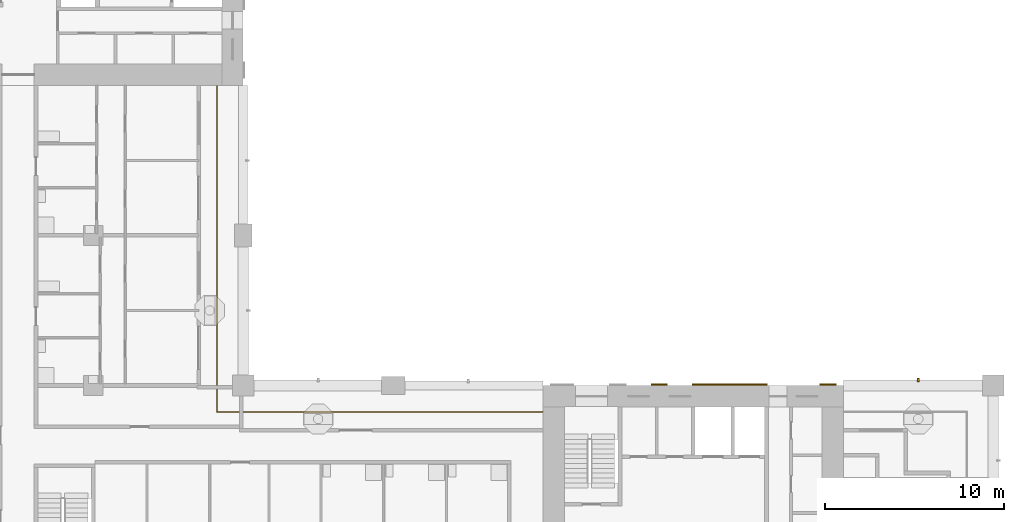
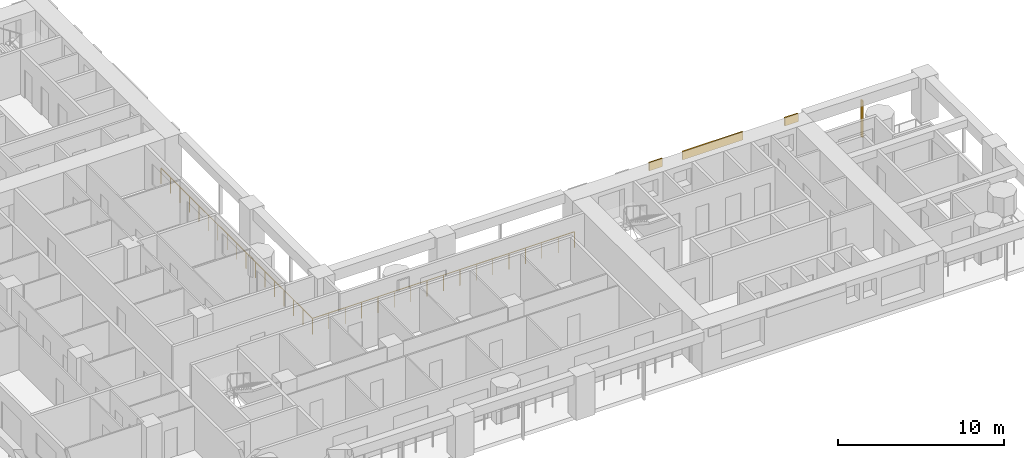
# One storey, part 14 of 19: 4 shading devices, 1 railing.
"""IFC4 building model written with IfcOpenShell, lengths in metres."""

from ifc_helpers import new_model, si_unit, direction, frame, origin, origin_2d, place, context, subcontext, project, spatial, rectangle, circle, extrude, material, layer, layer_set, material_profile, profile_set, type_object, element, save


model = new_model("IFC4")

# Units and contexts
model_context = context("Model", 3, precision=1e-05, world=origin(), true_north=direction((0.0, 1.0)))
body_context = subcontext(model_context, "Body", "Model", "MODEL_VIEW")
ifc_project = project(units=[si_unit("LENGTHUNIT", "METRE"), si_unit("AREAUNIT", "SQUARE_METRE"), si_unit("VOLUMEUNIT", "CUBIC_METRE"), si_unit("PLANEANGLEUNIT", "RADIAN"), si_unit("MASSUNIT", "GRAM", prefix="KILO")], contexts=[model_context])

# Site, building, storey
site_placement = place(None, origin())
site = spatial("IfcSite", under=ifc_project, at=site_placement, CompositionType="ELEMENT")
building_placement = place(site_placement, origin())
building = spatial("IfcBuilding", under=site, at=building_placement, Name="Vermilion Gate Residences", CompositionType="ELEMENT")
storey_placement = place(building_placement, frame((0.0, 0.0, 119.699951171875)))
storey = spatial("IfcBuildingStorey", under=building, at=storey_placement, Name="L30", CompositionType="ELEMENT", Elevation=119.699951171875)

# Railing
ifc_material_1 = material(Name="Stainless steel and toughened glass", Category="steel")
railing_type = type_object("IfcRailingType", Name="LOGGIA GUARD STEEL AND GLASS 1200", PredefinedType="GUARDRAIL", material=ifc_material_1)
railing_placement = place(storey_placement, frame((41.97802734375, 23.72509765625, 0.0)))
element("IfcRailing", 1, at=railing_placement, inside=storey, type_object=railing_type, Name="Loggia guard", PredefinedType="GUARDRAIL", context=body_context, shape_type="SweptSolid", body=[
    extrude(circle(Radius=0.030029296875, at=origin_2d()), frame((0.0, 0.0, 1.169921875), z_axis=(-1.0, 0.0, 0.0), x_axis=(0.0, -1.0, 0.0)), (0.0, 0.0, 1.0), 18.2529296875),
    extrude(circle(Radius=0.030029296875, at=origin_2d()), frame((-18.2529296875, 0.0, 1.169921875), z_axis=(0.0, 1.0, 0.0), x_axis=(-1.0, 0.0, 0.0)), (0.0, 0.0, 1.0), 18.2529296875),
    extrude(circle(Radius=0.02490234375, at=origin_2d()), origin(), (0.0, 0.0, 1.0), 1.139892578125),
    extrude(circle(Radius=0.02490234375, at=origin_2d()), frame((-1.140869140625, 0.0, 0.0)), (0.0, 0.0, 1.0), 1.139892578125),
    extrude(circle(Radius=0.02490234375, at=origin_2d()), frame((-2.28173828125, 0.0, 0.0)), (0.0, 0.0, 1.0), 1.139892578125),
    extrude(circle(Radius=0.02490234375, at=origin_2d()), frame((-3.42236328125, 0.0, 0.0)), (0.0, 0.0, 1.0), 1.139892578125),
    extrude(circle(Radius=0.02490234375, at=origin_2d()), frame((-4.563232421875, 0.0, 0.0)), (0.0, 0.0, 1.0), 1.139892578125),
    extrude(circle(Radius=0.02490234375, at=origin_2d()), frame((-5.7041015625, 0.0, 0.0)), (0.0, 0.0, 1.0), 1.139892578125),
    extrude(circle(Radius=0.02490234375, at=origin_2d()), frame((-6.8447265625, 0.0, 0.0)), (0.0, 0.0, 1.0), 1.139892578125),
    extrude(circle(Radius=0.02490234375, at=origin_2d()), frame((-7.985595703125, 0.0, 0.0)), (0.0, 0.0, 1.0), 1.139892578125),
    extrude(circle(Radius=0.02490234375, at=origin_2d()), frame((-9.12646484375, 0.0, 0.0)), (0.0, 0.0, 1.0), 1.139892578125),
    extrude(circle(Radius=0.02490234375, at=origin_2d()), frame((-10.267333984375, 0.0, 0.0)), (0.0, 0.0, 1.0), 1.139892578125),
    extrude(circle(Radius=0.02490234375, at=origin_2d()), frame((-11.408203125, 0.0, 0.0)), (0.0, 0.0, 1.0), 1.139892578125),
    extrude(circle(Radius=0.02490234375, at=origin_2d()), frame((-12.548828125, 0.0, 0.0)), (0.0, 0.0, 1.0), 1.139892578125),
    extrude(circle(Radius=0.02490234375, at=origin_2d()), frame((-13.689697265625, 0.0, 0.0)), (0.0, 0.0, 1.0), 1.139892578125),
    extrude(circle(Radius=0.02490234375, at=origin_2d()), frame((-14.83056640625, 0.0, 0.0)), (0.0, 0.0, 1.0), 1.139892578125),
    extrude(circle(Radius=0.02490234375, at=origin_2d()), frame((-15.97119140625, 0.0, 0.0)), (0.0, 0.0, 1.0), 1.139892578125),
    extrude(circle(Radius=0.02490234375, at=origin_2d()), frame((-17.112060546875, 0.0, 0.0)), (0.0, 0.0, 1.0), 1.139892578125),
    extrude(circle(Radius=0.02490234375, at=origin_2d()), frame((-18.2529296875, 0.0, 0.0)), (0.0, 0.0, 1.0), 1.139892578125),
    extrude(circle(Radius=0.02490234375, at=origin_2d()), frame((-18.2529296875, 1.140869140625, 0.0)), (0.0, 0.0, 1.0), 1.139892578125),
    extrude(circle(Radius=0.02490234375, at=origin_2d()), frame((-18.2529296875, 2.28173828125, 0.0)), (0.0, 0.0, 1.0), 1.139892578125),
    extrude(circle(Radius=0.02490234375, at=origin_2d()), frame((-18.2529296875, 3.42236328125, 0.0)), (0.0, 0.0, 1.0), 1.139892578125),
    extrude(circle(Radius=0.02490234375, at=origin_2d()), frame((-18.2529296875, 4.563232421875, 0.0)), (0.0, 0.0, 1.0), 1.139892578125),
    extrude(circle(Radius=0.02490234375, at=origin_2d()), frame((-18.2529296875, 5.7041015625, 0.0)), (0.0, 0.0, 1.0), 1.139892578125),
    extrude(circle(Radius=0.02490234375, at=origin_2d()), frame((-18.2529296875, 6.8447265625, 0.0)), (0.0, 0.0, 1.0), 1.139892578125),
    extrude(circle(Radius=0.02490234375, at=origin_2d()), frame((-18.2529296875, 7.985595703125, 0.0)), (0.0, 0.0, 1.0), 1.139892578125),
    extrude(circle(Radius=0.02490234375, at=origin_2d()), frame((-18.2529296875, 9.12646484375, 0.0)), (0.0, 0.0, 1.0), 1.139892578125),
    extrude(circle(Radius=0.02490234375, at=origin_2d()), frame((-18.2529296875, 10.267333984375, 0.0)), (0.0, 0.0, 1.0), 1.139892578125),
    extrude(circle(Radius=0.02490234375, at=origin_2d()), frame((-18.2529296875, 11.408203125, 0.0)), (0.0, 0.0, 1.0), 1.139892578125),
    extrude(circle(Radius=0.02490234375, at=origin_2d()), frame((-18.2529296875, 12.548828125, 0.0)), (0.0, 0.0, 1.0), 1.139892578125),
    extrude(circle(Radius=0.02490234375, at=origin_2d()), frame((-18.2529296875, 13.689697265625, 0.0)), (0.0, 0.0, 1.0), 1.139892578125),
    extrude(circle(Radius=0.02490234375, at=origin_2d()), frame((-18.2529296875, 14.83056640625, 0.0)), (0.0, 0.0, 1.0), 1.139892578125),
    extrude(circle(Radius=0.02490234375, at=origin_2d()), frame((-18.2529296875, 15.97119140625, 0.0)), (0.0, 0.0, 1.0), 1.139892578125),
    extrude(circle(Radius=0.02490234375, at=origin_2d()), frame((-18.2529296875, 17.112060546875, 0.0)), (0.0, 0.0, 1.0), 1.139892578125),
    extrude(circle(Radius=0.02490234375, at=origin_2d()), frame((-18.2529296875, 18.2529296875, 0.0)), (0.0, 0.0, 1.0), 1.139892578125),
])

# Shading devices
ifc_material_2 = material(Name="Extruded terracotta", Category="masonry")
ifc_material_profile = material_profile(ifc_material_2, rectangle(XDim=0.199951171875, YDim=0.10009765625, at=origin_2d()), Name="BAGUETTE 100 X 200")
ifc_profile_set = profile_set([ifc_material_profile], Name="Extruded terracotta")
shading_device_type_1 = type_object("IfcShadingDeviceType", Name="TERRACOTTA BAGUETTE 100 X 200", PredefinedType="JALOUSIE", material=ifc_profile_set)
shading_device_1_placement = place(storey_placement, frame((63.0, 25.5, -0.280029296875), z_axis=(0.0, 0.0, 1.0), x_axis=(0.0, -1.0, 0.0)))
element("IfcShadingDevice", 2, at=shading_device_1_placement, inside=storey, type_object=shading_device_type_1, Name="BAGUETTE", PredefinedType="JALOUSIE", context=body_context, shape_type="SweptSolid", body=[
    extrude(rectangle(XDim=0.199951171875, YDim=0.10009765625, at=origin_2d()), origin(), (0.0, 0.0, 1.0), 2.7001953125),
])
ifc_material_3 = material(Name="Extruded terracotta", Category="masonry")
ifc_layer = layer(ifc_material_3, 0.10009765625)
ifc_layer_set = layer_set([ifc_layer], Name="TERRACOTTA SPANDREL BAND 600 X 100")
shading_device_type_2 = type_object("IfcShadingDeviceType", Name="TERRACOTTA SPANDREL BAND 600 X 100", PredefinedType="USERDEFINED", material=ifc_layer_set)
shading_device_2_placement = place(storey_placement, frame((48.49365234375, 25.25, 2.6201171875), z_axis=(0.0, 0.0, 1.0), x_axis=(1.0, 0.0, 0.0)))
element("IfcShadingDevice", 3, at=shading_device_2_placement, inside=storey, type_object=shading_device_type_2, Name="SPANDREL BAND", ObjectType="BAND", PredefinedType="USERDEFINED", context=body_context, shape_type="SweptSolid", body=[
    extrude(rectangle(XDim=0.91259765625, YDim=0.10009765625, at=origin_2d()), origin(), (0.0, 0.0, 1.0), 0.60009765625),
])
shading_device_3_placement = place(storey_placement, frame((52.449951171875, 25.25, 2.6201171875), z_axis=(0.0, 0.0, 1.0), x_axis=(1.0, 0.0, 0.0)))
element("IfcShadingDevice", 4, at=shading_device_3_placement, inside=storey, type_object=shading_device_type_2, Name="SPANDREL BAND", ObjectType="BAND", PredefinedType="USERDEFINED", context=body_context, shape_type="SweptSolid", body=[
    extrude(rectangle(XDim=4.199951171875, YDim=0.10009765625, at=origin_2d()), origin(), (0.0, 0.0, 1.0), 0.60009765625),
])
shading_device_4_placement = place(storey_placement, frame((57.9375, 25.25, 2.6201171875), z_axis=(0.0, 0.0, 1.0), x_axis=(1.0, 0.0, 0.0)))
element("IfcShadingDevice", 5, at=shading_device_4_placement, inside=storey, type_object=shading_device_type_2, Name="SPANDREL BAND", ObjectType="BAND", PredefinedType="USERDEFINED", context=body_context, shape_type="SweptSolid", body=[
    extrude(rectangle(XDim=0.925048828125, YDim=0.10009765625, at=origin_2d()), origin(), (0.0, 0.0, 1.0), 0.60009765625),
])

save(model, "model.ifc")
